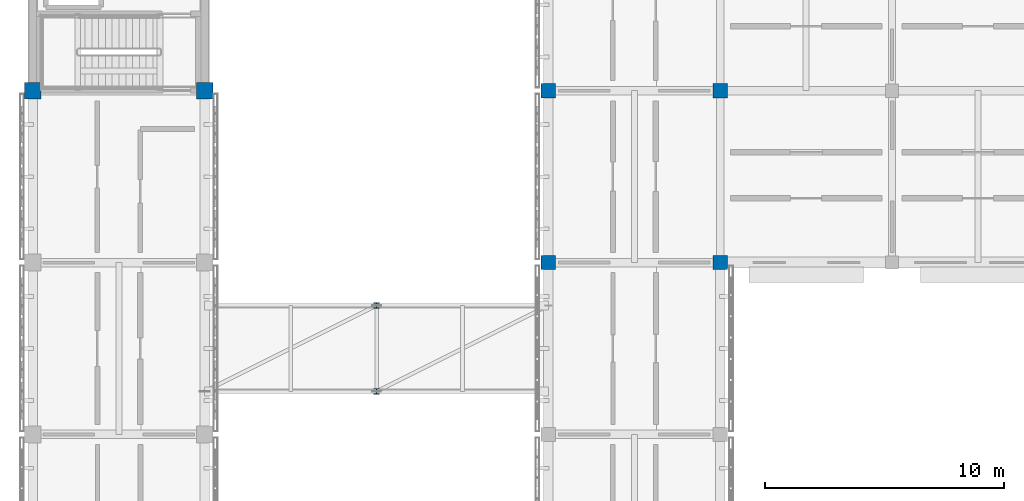
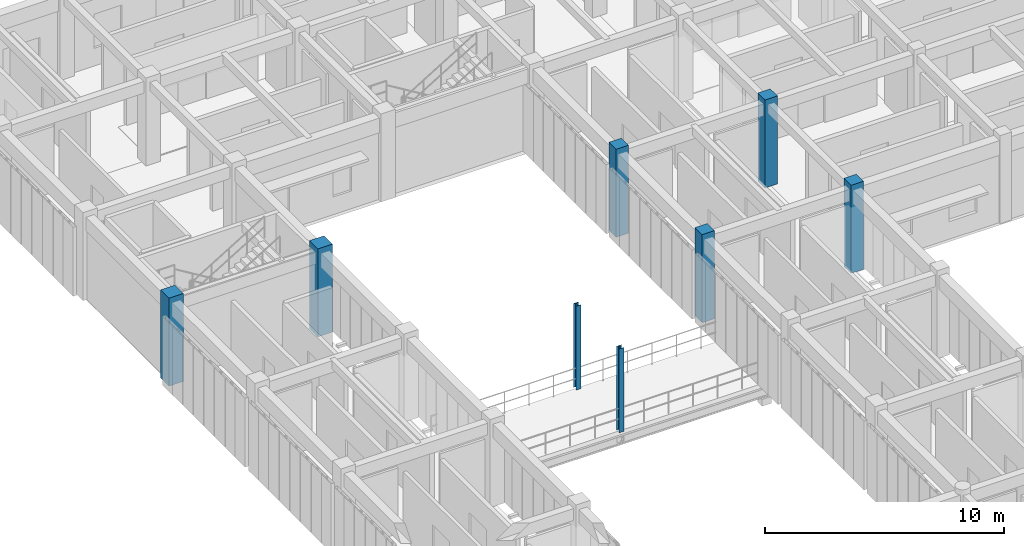
# One storey, part 2 of 171: 8 columns.
"""IFC4 building model written with IfcOpenShell, lengths in metres."""

from ifc_helpers import new_model, si_unit, direction, frame, origin, origin_2d, place, context, subcontext, project, spatial, rectangle, i_section, extrude, material, material_profile, profile_set, type_object, element, save


model = new_model("IFC4")

# Units and contexts
model_context = context("Model", 3, precision=1e-05, world=origin(), true_north=direction((0.0, 1.0)))
body_context = subcontext(model_context, "Body", "Model", "MODEL_VIEW")
ifc_project = project(units=[si_unit("LENGTHUNIT", "METRE"), si_unit("AREAUNIT", "SQUARE_METRE"), si_unit("VOLUMEUNIT", "CUBIC_METRE"), si_unit("PLANEANGLEUNIT", "RADIAN"), si_unit("MASSUNIT", "GRAM", prefix="KILO")], contexts=[model_context])

# Site, building, storey
site_placement = place(None, origin())
site = spatial("IfcSite", under=ifc_project, at=site_placement, CompositionType="ELEMENT")
building_placement = place(site_placement, origin())
building = spatial("IfcBuilding", under=site, at=building_placement, Name="Aldebral Square Health Centre", CompositionType="ELEMENT")
storey_placement = place(building_placement, frame((0.0, 0.0, 4.5)))
storey = spatial("IfcBuildingStorey", under=building, at=storey_placement, Name="L01", CompositionType="ELEMENT", Elevation=4.5)

# Columns
ifc_material_1 = material(Name="Concrete C40/50", Category="concrete")
ifc_material_profile_1 = material_profile(ifc_material_1, rectangle(XDim=0.699951171875, YDim=0.699951171875, at=origin_2d()), Name="RC 700x700")
ifc_profile_set_1 = profile_set([ifc_material_profile_1], Name="Concrete C40/50")
column_type_1 = type_object("IfcColumnType", Name="COL-C1", PredefinedType="COLUMN", material=ifc_profile_set_1)
for number, where, z_axis, x_axis, name in (
    (1, (0.0, 93.60009765625, 0.0), (0.0, 0.0, 1.0), (1.0, 0.0, 0.0), "L01 column 1/14"),
    (2, (7.199951171875, 93.60009765625, 0.0), (0.0, 0.0, 1.0), (1.0, 0.0, 0.0), "L01 column 2/14"),
):
    element("IfcColumn", number, at=place(storey_placement, frame(where, z_axis=z_axis, x_axis=x_axis)), inside=storey, type_object=column_type_1, Name=name, PredefinedType="COLUMN", context=body_context, shape_type="SweptSolid", body=[
        extrude(rectangle(XDim=0.699951171875, YDim=0.699951171875, at=origin_2d()), origin(), (0.0, 0.0, 1.0), 4.5),
    ])
ifc_material_profile_2 = material_profile(ifc_material_1, rectangle(XDim=0.60009765625, YDim=0.60009765625, at=origin_2d()), Name="RC 600x600")
ifc_profile_set_2 = profile_set([ifc_material_profile_2], Name="Concrete C40/50")
column_type_2 = type_object("IfcColumnType", Name="COL-C3", PredefinedType="COLUMN", material=ifc_profile_set_2)
for number, where, z_axis, x_axis, name in (
    (3, (21.60009765625, 86.39990234375, 0.0), (0.0, 0.0, 1.0), (1.0, 0.0, 0.0), "L01 column 4/13"),
    (4, (21.60009765625, 93.60009765625, 0.0), (0.0, 0.0, 1.0), (1.0, 0.0, 0.0), "L01 column 4/14"),
    (5, (28.800048828125, 86.39990234375, 0.0), (0.0, 0.0, 1.0), (1.0, 0.0, 0.0), "L01 column 5/13"),
    (6, (28.800048828125, 93.60009765625, 0.0), (0.0, 0.0, 1.0), (1.0, 0.0, 0.0), "L01 column 5/14"),
):
    element("IfcColumn", number, at=place(storey_placement, frame(where, z_axis=z_axis, x_axis=x_axis)), inside=storey, type_object=column_type_2, Name=name, PredefinedType="COLUMN", context=body_context, shape_type="SweptSolid", body=[
        extrude(rectangle(XDim=0.60009765625, YDim=0.60009765625, at=origin_2d()), origin(), (0.0, 0.0, 1.0), 4.5),
    ])
ifc_material_2 = material(Name="Steel S355JR", Category="steel")
ifc_material_profile_3 = material_profile(ifc_material_2, i_section(OverallWidth=0.239990234375, OverallDepth=0.239990234375, WebThickness=0.010009765625, FlangeThickness=0.01708984375, FilletRadius=0.02099609375, at=origin_2d()), Name="HEB 240")
ifc_profile_set_3 = profile_set([ifc_material_profile_3], Name="Steel S355JR")
column_type_3 = type_object("IfcColumnType", Name="COL-S2", PredefinedType="COLUMN", material=ifc_profile_set_3)
for number, where, z_axis, x_axis, name in (
    (7, (14.39990234375, 81.0, 0.0), (0.0, 0.0, 1.0), (1.0, 0.0, 0.0), "L01 bridge steel column 2-11"),
    (8, (14.39990234375, 84.60009765625, 0.0), (0.0, 0.0, 1.0), (1.0, 0.0, 0.0), "L01 bridge steel column 2-12"),
):
    element("IfcColumn", number, at=place(storey_placement, frame(where, z_axis=z_axis, x_axis=x_axis)), inside=storey, type_object=column_type_3, Name=name, PredefinedType="COLUMN", context=body_context, shape_type="SweptSolid", body=[
        extrude(i_section(OverallWidth=0.239990234375, OverallDepth=0.239990234375, WebThickness=0.010009765625, FlangeThickness=0.01708984375, FilletRadius=0.02099609375, at=origin_2d()), origin(), (0.0, 0.0, 1.0), 4.280029296875),
    ])

save(model, "model.ifc")
